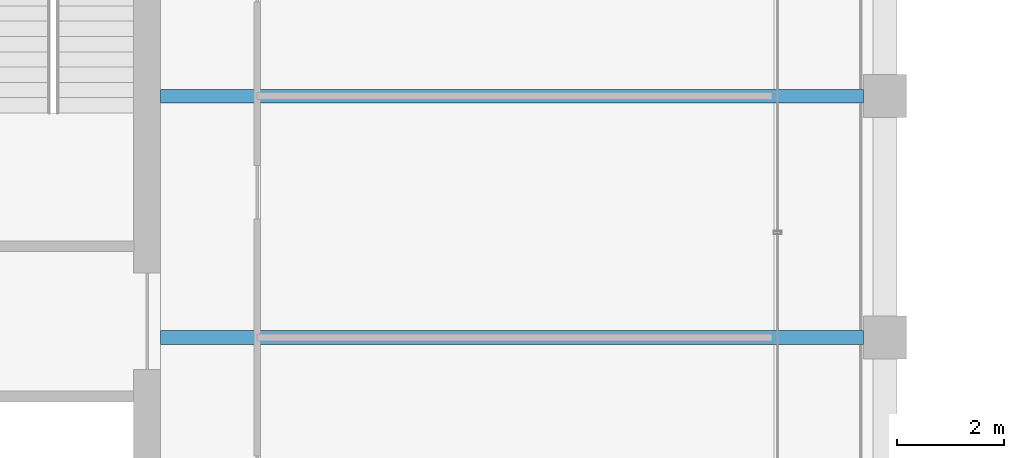
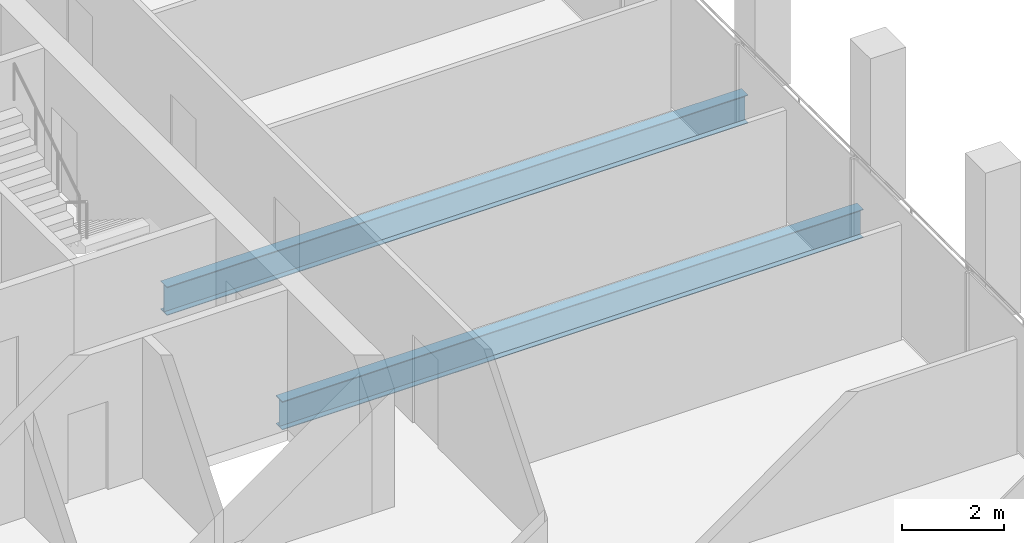
# One storey, part 18 of 62: 2 beams.
"""IFC4 building model written with IfcOpenShell, lengths in metres."""

from ifc_helpers import new_model, si_unit, direction, frame, origin, origin_2d, place, context, subcontext, project, spatial, i_section, extrude, material, material_profile, profile_set, type_object, element, save


model = new_model("IFC4")

# Units and contexts
model_context = context("Model", 3, precision=1e-05, world=origin(), true_north=direction((0.0, 1.0)))
body_context = subcontext(model_context, "Body", "Model", "MODEL_VIEW")
ifc_project = project(units=[si_unit("LENGTHUNIT", "METRE"), si_unit("AREAUNIT", "SQUARE_METRE"), si_unit("VOLUMEUNIT", "CUBIC_METRE"), si_unit("PLANEANGLEUNIT", "RADIAN"), si_unit("MASSUNIT", "GRAM", prefix="KILO")], contexts=[model_context])

# Site, building, storey
site_placement = place(None, origin())
site = spatial("IfcSite", under=ifc_project, at=site_placement, CompositionType="ELEMENT")
building_placement = place(site_placement, origin())
building = spatial("IfcBuilding", under=site, at=building_placement, Name="Altepetl Exchange Towers", CompositionType="ELEMENT")
storey_placement = place(building_placement, frame((0.0, 0.0, 210.0)))
storey = spatial("IfcBuildingStorey", under=building, at=storey_placement, Name="L53", CompositionType="ELEMENT", Elevation=210.0)

# Beams
ifc_material = material(Name="Steel S355", Category="steel")
ifc_material_profile = material_profile(ifc_material, i_section(OverallWidth=0.2529296875, OverallDepth=0.677978515625, WebThickness=0.01171875, FlangeThickness=0.016357421875, at=origin_2d()), Name="W27X84")
ifc_profile_set = profile_set([ifc_material_profile], Name="Steel S355")
beam_type = type_object("IfcBeamType", Name="Floor beam W27X84", PredefinedType="BEAM", material=ifc_profile_set)
for number, where, z_axis, x_axis, name in (
    (1, (58.5, 45.0, -0.489013671875), (1.0, 0.0, 0.0), (0.0, 1.0, 0.0), "bm:A:L53:009"),
    (2, (58.5, 49.5, -0.489013671875), (1.0, 0.0, 0.0), (0.0, 1.0, 0.0), "bm:A:L53:010"),
):
    element("IfcBeam", number, at=place(storey_placement, frame(where, z_axis=z_axis, x_axis=x_axis)), inside=storey, type_object=beam_type, Name=name, PredefinedType="BEAM", context=body_context, shape_type="SweptSolid", body=[
        extrude(i_section(OverallWidth=0.2529296875, OverallDepth=0.677978515625, WebThickness=0.01171875, FlangeThickness=0.016357421875, at=origin_2d()), origin(), (0.0, 0.0, 1.0), 13.10009765625),
    ])

save(model, "model.ifc")
